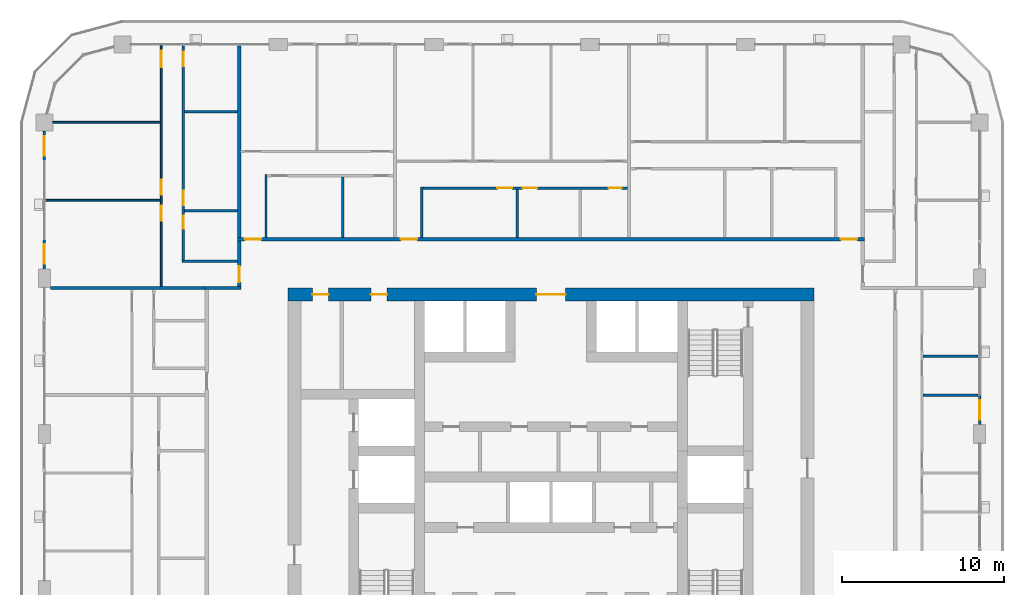
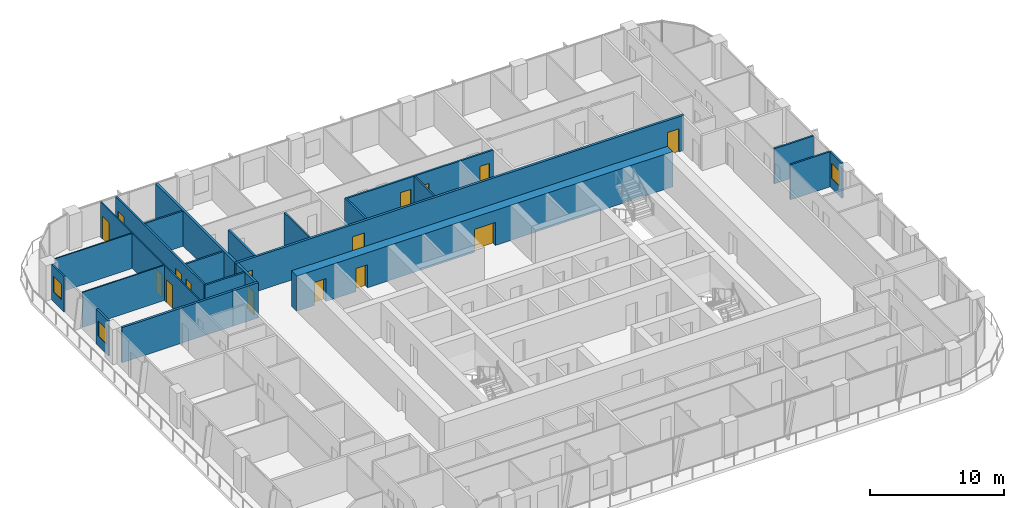
# One storey, part 13 of 22: 23 walls, 16 doors, 3 windows, 19 openings.
"""IFC4 building model written with IfcOpenShell, lengths in metres."""

import ifcopenshell
import ifcopenshell.guid

model = None  # the IFC model being written
_history = None  # IfcOwnerHistory: only IFC2X3 demands one
_inside = {}  # id of a spatial element -> (the spatial element, [elements in it])
_under = {}  # id of a project, library or spatial element -> (it, [spatial elements below it])
_declared = {}  # id of a project -> (the project, [libraries it declares])
_typed = {}  # id of a type object -> (the type object, [elements of that type])
_made_of = {}  # id of a material, layer set ... -> (it, [elements and type objects made of it])


def new_model(schema):
    """Start an empty IFC model of exactly this schema.

    Asked for "IFC4X3", IfcOpenShell would pick the latest addendum, in which some entities
    have other attributes; the version numbers below select the first issue.
    IFC2X3 requires an IfcOwnerHistory on every rooted entity: one is made here for all.
    """
    global model, _history
    if schema == "IFC4X3":
        model = ifcopenshell.file(schema_version=(4, 3, 0, 0))
    else:
        model = ifcopenshell.file(schema=schema)
    _inside.clear()
    _under.clear()
    _declared.clear()
    _typed.clear()
    _made_of.clear()
    _history = None
    if model.schema == "IFC2X3":
        org = make("IfcOrganization", Name="unknown")
        user = make(
            "IfcPersonAndOrganization",
            ThePerson=make("IfcPerson", FamilyName="unknown"),
            TheOrganization=org,
        )
        app = make(
            "IfcApplication",
            ApplicationDeveloper=org,
            Version="unknown",
            ApplicationFullName="unknown",
            ApplicationIdentifier="unknown",
        )
        _history = make(
            "IfcOwnerHistory",
            OwningUser=user,
            OwningApplication=app,
            ChangeAction="ADDED",
            CreationDate=0,
        )
    return model


def make(cls, **values):
    """One entity of the class cls with the attributes given. An attribute that is None is left unset."""
    return model.create_entity(
        cls, **{name: value for name, value in values.items() if value is not None}
    )


def rooted(cls, **values):
    """An entity with a GlobalId (a new one), such as an element, a storey or a relation."""
    return make(cls, GlobalId=ifcopenshell.guid.new(), OwnerHistory=_history, **values)


def si_unit(unit_type, name, prefix=None):
    """IfcSIUnit, for example si_unit("LENGTHUNIT", "METRE", prefix="MILLI")."""
    return make("IfcSIUnit", UnitType=unit_type, Prefix=prefix, Name=name)


def assignment(units):
    """IfcUnitAssignment: the units of a project."""
    return None if units is None else make("IfcUnitAssignment", Units=units)


def point(xyz):
    """IfcCartesianPoint."""
    return None if xyz is None else make("IfcCartesianPoint", Coordinates=xyz)


def direction(xyz):
    """IfcDirection."""
    return None if xyz is None else make("IfcDirection", DirectionRatios=xyz)


def frame(location, z_axis=None, x_axis=None):
    """IfcAxis2Placement3D, a coordinate frame: its origin and axes. An axis left out is left unset."""
    return make(
        "IfcAxis2Placement3D",
        Location=point(location),
        Axis=direction(z_axis),
        RefDirection=direction(x_axis),
    )


def frame_2d(location, x_axis=None):
    """IfcAxis2Placement2D, a coordinate frame in the plane: its origin and x axis."""
    return make(
        "IfcAxis2Placement2D", Location=point(location), RefDirection=direction(x_axis)
    )


def origin():
    """The frame at (0, 0, 0) with its axes left unset."""
    return frame((0.0, 0.0, 0.0))


def place(relative_to, where):
    """IfcLocalPlacement: puts the frame where relative to a parent placement (None: the world)."""
    return make(
        "IfcLocalPlacement", PlacementRelTo=relative_to, RelativePlacement=where
    )


def context(
    kind, dimensions, precision=None, world=None, true_north=None, identifier=None
):
    """IfcGeometricRepresentationContext, for example the 3D "Model" context."""
    return make(
        "IfcGeometricRepresentationContext",
        ContextIdentifier=identifier,
        ContextType=kind,
        CoordinateSpaceDimension=dimensions,
        Precision=precision,
        WorldCoordinateSystem=world,
        TrueNorth=true_north,
    )


def subcontext(parent, identifier, kind, view, scale=None):
    """IfcGeometricRepresentationSubContext, for example "Body" below "Model"."""
    return make(
        "IfcGeometricRepresentationSubContext",
        ContextIdentifier=identifier,
        ContextType=kind,
        ParentContext=parent,
        TargetScale=scale,
        TargetView=view,
    )


def project(units=None, contexts=None):
    """IfcProject with its units and contexts."""
    return rooted(
        "IfcProject",
        Name="project",
        RepresentationContexts=contexts,
        UnitsInContext=assignment(units),
    )


def spatial(cls, under=None, at=None, **own):
    """A site, building, storey or space (cls), placed at a placement, below another one or the project."""
    s = rooted(cls, ObjectPlacement=at, **own)
    if under is not None:
        _under.setdefault(under.id(), (under, []))[1].append(s)
    return s


def profile(cls, at=None, kind="AREA", **sizes):
    """A parametric profile (cls). Its sizes go by their IFC names, for example OverallWidth=200.0."""
    return make(cls, ProfileType=kind, Position=at, **sizes)


def rectangle(**sizes):
    """IfcRectangleProfileDef."""
    return profile("IfcRectangleProfileDef", **sizes)


def extrude(swept, where, along, depth):
    """IfcExtrudedAreaSolid: the profile swept, set in the frame where, extruded along a direction by depth."""
    return make(
        "IfcExtrudedAreaSolid",
        SweptArea=swept,
        Position=where,
        ExtrudedDirection=direction(along),
        Depth=depth,
    )


def shape(context_of_items, identifier, shape_type, items):
    """IfcShapeRepresentation: the items that make up one representation, for example the "Body"."""
    return make(
        "IfcShapeRepresentation",
        ContextOfItems=context_of_items,
        RepresentationIdentifier=identifier,
        RepresentationType=shape_type,
        Items=items,
    )


def material(Name=None, Category=None):
    """IfcMaterial."""
    return make("IfcMaterial", Name=Name, Category=Category)


def layer(
    of_material, thickness, ventilated=None, Name=None, Category=None, Priority=None
):
    """IfcMaterialLayer: one layer of a wall or slab, of a material (None: an air gap)."""
    return make(
        "IfcMaterialLayer",
        Material=of_material,
        LayerThickness=thickness,
        IsVentilated=ventilated,
        Name=Name,
        Category=Category,
        Priority=Priority,
    )


def layer_set(layers, Name=None):
    """IfcMaterialLayerSet."""
    return make("IfcMaterialLayerSet", MaterialLayers=layers, LayerSetName=Name)


def made_of(thing, what):
    """Note that an element or type object is made of a material, layer set ...; save() writes the relation."""
    if what is not None:
        _made_of.setdefault(what.id(), (what, []))[1].append(thing)
    return thing


def type_object(cls, material=None, **own):
    """A type object (cls), such as IfcWallType, which elements share."""
    return made_of(rooted(cls, **own), material)


def element(
    cls,
    number,
    at=None,
    inside=None,
    cuts=None,
    type_object=None,
    material=None,
    context=None,
    identifier="Body",
    shape_type=None,
    held_by="IfcProductDefinitionShape",
    body=None,
    shapes=None,
    **own,
):
    """One element of the class cls, such as IfcWall. Its Tag is "e" and its number.

    at: its placement. inside: the storey or other place that contains it. cuts: it is an
    opening in that element (IfcRelVoidsElement). A single representation is given by context,
    identifier, shape_type and body (its items); several are given by shapes. held_by: the class
    of the entity that holds the representations. save() writes the other relations.
    """
    e = rooted(cls, Tag="e%d" % number, ObjectPlacement=at, **own)
    if body is not None:
        shapes = [shape(context, identifier, shape_type, body)]
    if shapes is not None:
        e.Representation = make(held_by, Representations=shapes)
    if inside is not None:
        _inside.setdefault(inside.id(), (inside, []))[1].append(e)
    if cuts is not None:
        rooted(
            "IfcRelVoidsElement", RelatingBuildingElement=cuts, RelatedOpeningElement=e
        )
    if type_object is not None:
        _typed.setdefault(type_object.id(), (type_object, []))[1].append(e)
    return made_of(e, material)


def fill(opening, filler):
    """IfcRelFillsElement: the door or window that sits in an opening."""
    return rooted(
        "IfcRelFillsElement",
        RelatingOpeningElement=opening,
        RelatedBuildingElement=filler,
    )


def aggregate(whole, parts):
    """IfcRelAggregates: a whole, such as a stair, and the parts it consists of."""
    return rooted("IfcRelAggregates", RelatingObject=whole, RelatedObjects=parts)


def save(model, path):
    """Write the relations noted so far, then the file.

    IfcRelAggregates (storeys below a building ...), IfcRelContainedInSpatialStructure (elements
    in a storey), IfcRelDefinesByType, IfcRelAssociatesMaterial and IfcRelDeclares: one each for
    every whole, place, type object, material and project.
    """
    for whole, parts in _under.values():
        aggregate(whole, parts)
    for where, things in _inside.values():
        rooted(
            "IfcRelContainedInSpatialStructure",
            RelatedElements=things,
            RelatingStructure=where,
        )
    for kind, things in _typed.values():
        rooted("IfcRelDefinesByType", RelatedObjects=things, RelatingType=kind)
    for what, things in _made_of.values():
        rooted("IfcRelAssociatesMaterial", RelatedObjects=things, RelatingMaterial=what)
    for by, libraries in _declared.values():
        rooted("IfcRelDeclares", RelatingContext=by, RelatedDefinitions=libraries)
    model.write(path)


model = new_model("IFC4")

# Units and contexts
model_context = context("Model", 3, precision=1e-05, world=origin(), true_north=direction((0.0, 1.0)))
body_context = subcontext(model_context, "Body", "Model", "MODEL_VIEW")
ifc_project = project(units=[si_unit("LENGTHUNIT", "METRE"), si_unit("AREAUNIT", "SQUARE_METRE"), si_unit("VOLUMEUNIT", "CUBIC_METRE"), si_unit("PLANEANGLEUNIT", "RADIAN"), si_unit("MASSUNIT", "GRAM", prefix="KILO")], contexts=[model_context])

# Site, building, storey
site_placement = place(None, origin())
site = spatial("IfcSite", under=ifc_project, at=site_placement, CompositionType="ELEMENT")
building_placement = place(site_placement, origin())
building = spatial("IfcBuilding", under=site, at=building_placement, Name="Madar Terraces", CompositionType="ELEMENT")
storey_placement = place(building_placement, frame((0.0, 0.0, 136.60009765625)))
storey = spatial("IfcBuildingStorey", under=building, at=storey_placement, Name="L35", CompositionType="ELEMENT", Elevation=136.60009765625)

# Wall, openings, doors
ifc_material_1 = material(Name="Concrete C70/85", Category="concrete")
ifc_layer_1 = layer(ifc_material_1, 0.800048828125)
ifc_layer_set_1 = layer_set([ifc_layer_1], Name="Concrete C70/85 (CRW3 RC wall 800)")
wall_type_1 = type_object("IfcWallType", Name="CRW3 RC wall 800", PredefinedType="SHEAR", material=ifc_layer_set_1)
wall_1_placement = place(storey_placement, frame((15.0, 37.39990234375, 0.0), z_axis=(0.0, 0.0, 1.0), x_axis=(1.0, 0.0, 0.0)))
wall_1 = element("IfcWall", 1, at=wall_1_placement, inside=storey, type_object=wall_type_1, Name="CORE OUTER WALL", PredefinedType="SHEAR", context=body_context, shape_type="SweptSolid", body=[
    extrude(rectangle(XDim=32.39990234375, YDim=0.800048828125, at=frame_2d((16.199951171875, 0.0))), origin(), (0.0, 0.0, 1.0), 3.199951171875),
])
opening_1_placement = place(wall_1_placement, frame((15.300048828125, 0.0, 0.0)))
opening_1 = element("IfcOpeningElement", 2, at=opening_1_placement, cuts=wall_1, Name="Opening KD1", PredefinedType="OPENING", context=body_context, shape_type="SweptSolid", body=[
    extrude(rectangle(XDim=1.800048828125, YDim=2.10009765625, at=frame_2d((0.89990234375, 1.050048828125))), frame((0.0, 0.409912109375, 0.0), z_axis=(0.0, -1.0, 0.0), x_axis=(1.0, 0.0, 0.0)), (0.0, 0.0, 1.0), 0.820068359375),
])
opening_2_placement = place(wall_1_placement, frame((1.510009765625, 0.0, 0.0)))
opening_2 = element("IfcOpeningElement", 3, at=opening_2_placement, cuts=wall_1, Name="Opening KD2", PredefinedType="OPENING", context=body_context, shape_type="SweptSolid", body=[
    extrude(rectangle(XDim=1.0, YDim=2.10009765625, at=frame_2d((0.5, 1.050048828125))), frame((0.0, 0.409912109375, 0.0), z_axis=(0.0, -1.0, 0.0), x_axis=(1.0, 0.0, 0.0)), (0.0, 0.0, 1.0), 0.820068359375),
])
opening_3_placement = place(wall_1_placement, frame((5.110107421875, 0.0, 0.0)))
opening_3 = element("IfcOpeningElement", 4, at=opening_3_placement, cuts=wall_1, Name="Opening KD2", PredefinedType="OPENING", context=body_context, shape_type="SweptSolid", body=[
    extrude(rectangle(XDim=1.0, YDim=2.10009765625, at=frame_2d((0.5, 1.050048828125))), frame((0.0, 0.409912109375, 0.0), z_axis=(0.0, -1.0, 0.0), x_axis=(1.0, 0.0, 0.0)), (0.0, 0.0, 1.0), 0.820068359375),
])
ifc_material_2 = material(Name="Steel door leaf", Category="steel")
door_type_1 = type_object("IfcDoorType", Name="Lobby door pair 1800 x 2100", OperationType="DOUBLE_DOOR_SINGLE_SWING", PredefinedType="DOOR", material=ifc_material_2)
door_1_placement = place(opening_1_placement, origin())
door_1 = element("IfcDoor", 5, at=door_1_placement, inside=storey, type_object=door_type_1, Name="LIFT LOBBY DOOR", OperationType="DOUBLE_DOOR_SINGLE_SWING", OverallHeight=2.10009765625, OverallWidth=1.800048828125, PredefinedType="DOOR", context=body_context, shape_type="SweptSolid", body=[
    extrude(rectangle(XDim=1.800048828125, YDim=2.10009765625, at=frame_2d((0.89990234375, 1.050048828125))), frame((0.0, 0.02490234375, 0.0), z_axis=(0.0, -1.0, 0.0), x_axis=(1.0, 0.0, 0.0)), (0.0, 0.0, 1.0), 0.050048828125),
])
fill(opening_1, door_1)
ifc_material_3 = material(Name="Steel door leaf", Category="steel")
door_type_2 = type_object("IfcDoorType", Name="Service room door 1000 x 2100", OperationType="NOTDEFINED", PredefinedType="DOOR", material=ifc_material_3)
door_2_placement = place(opening_2_placement, origin())
door_2 = element("IfcDoor", 6, at=door_2_placement, inside=storey, type_object=door_type_2, Name="SERVICE ROOM DOOR", OperationType="SINGLE_SWING_RIGHT", OverallHeight=2.10009765625, OverallWidth=1.0, PredefinedType="DOOR", context=body_context, shape_type="SweptSolid", body=[
    extrude(rectangle(XDim=1.0, YDim=2.10009765625, at=frame_2d((0.5, 1.050048828125))), frame((0.0, 0.02490234375, 0.0), z_axis=(0.0, -1.0, 0.0), x_axis=(1.0, 0.0, 0.0)), (0.0, 0.0, 1.0), 0.050048828125),
])
fill(opening_2, door_2)
door_3_placement = place(opening_3_placement, origin())
door_3 = element("IfcDoor", 7, at=door_3_placement, inside=storey, type_object=door_type_2, Name="SERVICE ROOM DOOR", OperationType="SINGLE_SWING_LEFT", OverallHeight=2.10009765625, OverallWidth=1.0, PredefinedType="DOOR", context=body_context, shape_type="SweptSolid", body=[
    extrude(rectangle(XDim=1.0, YDim=2.10009765625, at=frame_2d((0.5, 1.050048828125))), frame((0.0, 0.02490234375, 0.0), z_axis=(0.0, -1.0, 0.0), x_axis=(1.0, 0.0, 0.0)), (0.0, 0.0, 1.0), 0.050048828125),
])
fill(opening_3, door_3)

# Wall, opening, window
ifc_material_4 = material(Name="Aluminium composite panel, black, over insulated backing", Category="aluminium")
ifc_layer_2 = layer(ifc_material_4, 0.14990234375)
ifc_layer_set_2 = layer_set([ifc_layer_2], Name="Facade bay panel 150")
wall_type_2 = type_object("IfcWallType", Name="Facade bay panel 150", PredefinedType="SOLIDWALL", material=ifc_layer_set_2)
wall_2_placement = place(storey_placement, frame((57.60009765625, 29.375, 0.0), z_axis=(0.0, 0.0, 1.0), x_axis=(0.0, 1.0, 0.0)))
wall_2 = element("IfcWall", 8, at=wall_2_placement, inside=storey, type_object=wall_type_2, Name="Facade bay panel", PredefinedType="SOLIDWALL", context=body_context, shape_type="SweptSolid", body=[
    extrude(rectangle(XDim=1.824951171875, YDim=0.14990234375, at=frame_2d((0.91259765625, 0.0))), origin(), (0.0, 0.0, 1.0), 3.199951171875),
])
opening_4_placement = place(wall_2_placement, frame((0.3125, 0.0, 0.89990234375)))
opening_4 = element("IfcOpeningElement", 9, at=opening_4_placement, cuts=wall_2, Name="Opening W1", PredefinedType="OPENING", context=body_context, shape_type="SweptSolid", body=[
    extrude(rectangle(XDim=1.199951171875, YDim=1.39990234375, at=frame_2d((0.60009765625, 0.699951171875))), frame((0.0, 0.0849609375, 0.0), z_axis=(0.0, -1.0, 0.0), x_axis=(1.0, 0.0, 0.0)), (0.0, 0.0, 1.0), 0.169921875),
])
ifc_material_5 = material(Name="Glass, clear, with black aluminium frame", Category="aluminium")
window_type = type_object("IfcWindowType", Name="Vent window 1200 x 1400", PartitioningType="SINGLE_PANEL", PredefinedType="WINDOW", material=ifc_material_5)
window_1_placement = place(opening_4_placement, origin())
window_1 = element("IfcWindow", 10, at=window_1_placement, inside=storey, type_object=window_type, Name="Operable vent window", OverallHeight=1.39990234375, OverallWidth=1.199951171875, PartitioningType="SINGLE_PANEL", PredefinedType="WINDOW", context=body_context, shape_type="SweptSolid", body=[
    extrude(rectangle(XDim=1.199951171875, YDim=1.39990234375, at=frame_2d((0.60009765625, 0.699951171875))), frame((0.0, 0.030029296875, 0.0), z_axis=(0.0, -1.0, 0.0), x_axis=(1.0, 0.0, 0.0)), (0.0, 0.0, 1.0), 0.06005859375),
])
fill(opening_4, window_1)

wall_3_placement = place(storey_placement, frame((0.0, 47.47509765625, 0.0), z_axis=(0.0, 0.0, 1.0), x_axis=(0.0, -1.0, 0.0)))
wall_3 = element("IfcWall", 11, at=wall_3_placement, inside=storey, type_object=wall_type_2, Name="Facade bay panel", PredefinedType="SOLIDWALL", context=body_context, shape_type="SweptSolid", body=[
    extrude(rectangle(XDim=1.875, YDim=0.14990234375, at=frame_2d((0.9375, 0.0))), origin(), (0.0, 0.0, 1.0), 3.199951171875),
])
opening_5_placement = place(wall_3_placement, frame((0.33740234375, 0.0, 0.89990234375)))
opening_5 = element("IfcOpeningElement", 12, at=opening_5_placement, cuts=wall_3, Name="Opening W1", PredefinedType="OPENING", context=body_context, shape_type="SweptSolid", body=[
    extrude(rectangle(XDim=1.199951171875, YDim=1.39990234375, at=frame_2d((0.60009765625, 0.699951171875))), frame((0.0, 0.0849609375, 0.0), z_axis=(0.0, -1.0, 0.0), x_axis=(1.0, 0.0, 0.0)), (0.0, 0.0, 1.0), 0.169921875),
])
window_2_placement = place(opening_5_placement, origin())
window_2 = element("IfcWindow", 13, at=window_2_placement, inside=storey, type_object=window_type, Name="Operable vent window", OverallHeight=1.39990234375, OverallWidth=1.199951171875, PartitioningType="SINGLE_PANEL", PredefinedType="WINDOW", context=body_context, shape_type="SweptSolid", body=[
    extrude(rectangle(XDim=1.199951171875, YDim=1.39990234375, at=frame_2d((0.60009765625, 0.699951171875))), frame((0.0, 0.030029296875, 0.0), z_axis=(0.0, -1.0, 0.0), x_axis=(1.0, 0.0, 0.0)), (0.0, 0.0, 1.0), 0.06005859375),
])
fill(opening_5, window_2)

wall_4_placement = place(storey_placement, frame((0.0, 40.800048828125, 0.0), z_axis=(0.0, 0.0, 1.0), x_axis=(0.0, -1.0, 0.0)))
wall_4 = element("IfcWall", 14, at=wall_4_placement, inside=storey, type_object=wall_type_2, Name="Facade bay panel", PredefinedType="SOLIDWALL", context=body_context, shape_type="SweptSolid", body=[
    extrude(rectangle(XDim=1.824951171875, YDim=0.14990234375, at=frame_2d((0.91259765625, 0.0))), origin(), (0.0, 0.0, 1.0), 3.199951171875),
])
opening_6_placement = place(wall_4_placement, frame((0.3125, 0.0, 0.89990234375)))
opening_6 = element("IfcOpeningElement", 15, at=opening_6_placement, cuts=wall_4, Name="Opening W1", PredefinedType="OPENING", context=body_context, shape_type="SweptSolid", body=[
    extrude(rectangle(XDim=1.199951171875, YDim=1.39990234375, at=frame_2d((0.60009765625, 0.699951171875))), frame((0.0, 0.0849609375, 0.0), z_axis=(0.0, -1.0, 0.0), x_axis=(1.0, 0.0, 0.0)), (0.0, 0.0, 1.0), 0.169921875),
])
window_3_placement = place(opening_6_placement, origin())
window_3 = element("IfcWindow", 16, at=window_3_placement, inside=storey, type_object=window_type, Name="Operable vent window", OverallHeight=1.39990234375, OverallWidth=1.199951171875, PartitioningType="SINGLE_PANEL", PredefinedType="WINDOW", context=body_context, shape_type="SweptSolid", body=[
    extrude(rectangle(XDim=1.199951171875, YDim=1.39990234375, at=frame_2d((0.60009765625, 0.699951171875))), frame((0.0, 0.030029296875, 0.0), z_axis=(0.0, -1.0, 0.0), x_axis=(1.0, 0.0, 0.0)), (0.0, 0.0, 1.0), 0.06005859375),
])
fill(opening_6, window_3)

# Walls
ifc_material_6 = material(Name="Gypsum board on steel studs", Category="steel")
ifc_layer_3 = layer(ifc_material_6, 0.10009765625)
ifc_layer_set_3 = layer_set([ifc_layer_3], Name="Flat partition 100")
wall_type_3 = type_object("IfcWallType", Name="Flat partition 100", PredefinedType="PARTITIONING", material=ifc_layer_set_3)
wall_5_placement = place(storey_placement, frame((7.14990234375, 43.199951171875, 0.0), z_axis=(0.0, 0.0, 1.0), x_axis=(-1.0, 0.0, 0.0)))
element("IfcWall", 17, at=wall_5_placement, inside=storey, type_object=wall_type_3, Name="Flat partition 100", PredefinedType="PARTITIONING", context=body_context, shape_type="SweptSolid", body=[
    extrude(rectangle(XDim=7.0498046875, YDim=0.10009765625, at=frame_2d((3.52490234375, 0.0))), origin(), (0.0, 0.0, 1.0), 3.199951171875),
])
wall_6_placement = place(storey_placement, frame((7.14990234375, 48.0, 0.0), z_axis=(0.0, 0.0, 1.0), x_axis=(-1.0, 0.0, 0.0)))
element("IfcWall", 18, at=wall_6_placement, inside=storey, type_object=wall_type_3, Name="Flat partition 100", PredefinedType="PARTITIONING", context=body_context, shape_type="SweptSolid", body=[
    extrude(rectangle(XDim=6.625, YDim=0.10009765625, at=frame_2d((3.3125, 0.0))), origin(), (0.0, 0.0, 1.0), 3.199951171875),
])

# Wall, openings, doors
wall_7_placement = place(storey_placement, frame((7.199951171875, 37.89990234375, 0.0), z_axis=(0.0, 0.0, 1.0), x_axis=(0.0, 1.0, 0.0)))
wall_7 = element("IfcWall", 19, at=wall_7_placement, inside=storey, type_object=wall_type_3, Name="Flat partition 100", PredefinedType="PARTITIONING", context=body_context, shape_type="SweptSolid", body=[
    extrude(rectangle(XDim=14.800048828125, YDim=0.10009765625, at=frame_2d((7.39990234375, 0.0))), origin(), (0.0, 0.0, 1.0), 3.199951171875),
])
opening_7_placement = place(wall_7_placement, frame((4.050048828125, 0.0, 0.0)))
opening_7 = element("IfcOpeningElement", 20, at=opening_7_placement, cuts=wall_7, Name="Opening D2", PredefinedType="OPENING", context=body_context, shape_type="SweptSolid", body=[
    extrude(rectangle(XDim=0.89990234375, YDim=2.10009765625, at=frame_2d((0.449951171875, 1.050048828125))), frame((0.0, 0.06005859375, 0.0), z_axis=(0.0, -1.0, 0.0), x_axis=(1.0, 0.0, 0.0)), (0.0, 0.0, 1.0), 0.1201171875),
])
opening_8_placement = place(wall_7_placement, frame((5.64990234375, 0.0, 0.0)))
opening_8 = element("IfcOpeningElement", 21, at=opening_8_placement, cuts=wall_7, Name="Opening D2", PredefinedType="OPENING", context=body_context, shape_type="SweptSolid", body=[
    extrude(rectangle(XDim=0.89990234375, YDim=2.10009765625, at=frame_2d((0.449951171875, 1.050048828125))), frame((0.0, 0.06005859375, 0.0), z_axis=(0.0, -1.0, 0.0), x_axis=(1.0, 0.0, 0.0)), (0.0, 0.0, 1.0), 0.1201171875),
])
opening_9_placement = place(wall_7_placement, frame((13.5, 0.0, 0.0)))
opening_9 = element("IfcOpeningElement", 22, at=opening_9_placement, cuts=wall_7, Name="Opening D3", PredefinedType="OPENING", context=body_context, shape_type="SweptSolid", body=[
    extrude(rectangle(XDim=1.0, YDim=2.10009765625, at=frame_2d((0.5, 1.050048828125))), frame((0.0, 0.06005859375, 0.0), z_axis=(0.0, -1.0, 0.0), x_axis=(1.0, 0.0, 0.0)), (0.0, 0.0, 1.0), 0.1201171875),
])
ifc_material_7 = material(Name="Timber door leaf", Category="wood")
door_type_3 = type_object("IfcDoorType", Name="Flat living room door 1000", OperationType="NOTDEFINED", PredefinedType="DOOR", material=ifc_material_7)
door_4_placement = place(opening_9_placement, origin())
door_4 = element("IfcDoor", 23, at=door_4_placement, inside=storey, type_object=door_type_3, Name="Flat living room door 1000", OperationType="SINGLE_SWING_RIGHT", OverallHeight=2.10009765625, OverallWidth=1.0, PredefinedType="DOOR", context=body_context, shape_type="SweptSolid", body=[
    extrude(rectangle(XDim=1.0, YDim=2.10009765625, at=frame_2d((0.5, 1.050048828125))), frame((0.0, 0.02490234375, 0.0), z_axis=(0.0, -1.0, 0.0), x_axis=(1.0, 0.0, 0.0)), (0.0, 0.0, 1.0), 0.050048828125),
])
fill(opening_9, door_4)
ifc_material_8 = material(Name="Timber door leaf", Category="wood")
door_type_4 = type_object("IfcDoorType", Name="Flat room door 900", OperationType="NOTDEFINED", PredefinedType="DOOR", material=ifc_material_8)
door_5_placement = place(opening_7_placement, origin())
door_5 = element("IfcDoor", 24, at=door_5_placement, inside=storey, type_object=door_type_4, Name="Flat room door 900", OperationType="SINGLE_SWING_RIGHT", OverallHeight=2.10009765625, OverallWidth=0.89990234375, PredefinedType="DOOR", context=body_context, shape_type="SweptSolid", body=[
    extrude(rectangle(XDim=0.89990234375, YDim=2.10009765625, at=frame_2d((0.449951171875, 1.050048828125))), frame((0.0, 0.02490234375, 0.0), z_axis=(0.0, -1.0, 0.0), x_axis=(1.0, 0.0, 0.0)), (0.0, 0.0, 1.0), 0.050048828125),
])
fill(opening_7, door_5)
door_6_placement = place(opening_8_placement, origin())
door_6 = element("IfcDoor", 25, at=door_6_placement, inside=storey, type_object=door_type_4, Name="Flat room door 900", OperationType="SINGLE_SWING_LEFT", OverallHeight=2.10009765625, OverallWidth=0.89990234375, PredefinedType="DOOR", context=body_context, shape_type="SweptSolid", body=[
    extrude(rectangle(XDim=0.89990234375, YDim=2.10009765625, at=frame_2d((0.449951171875, 1.050048828125))), frame((0.0, 0.02490234375, 0.0), z_axis=(0.0, -1.0, 0.0), x_axis=(1.0, 0.0, 0.0)), (0.0, 0.0, 1.0), 0.050048828125),
])
fill(opening_8, door_6)

ifc_material_9 = material(Name="Lightweight blockwork", Category="masonry")
ifc_layer_4 = layer(ifc_material_9, 0.199951171875)
ifc_layer_set_4 = layer_set([ifc_layer_4], Name="Flat party and entrance wall 200")
wall_type_4 = type_object("IfcWallType", Name="Flat party and entrance wall 200", PredefinedType="PARTITIONING", material=ifc_layer_set_4)
wall_8_placement = place(storey_placement, frame((11.89990234375, 40.800048828125, 0.0), z_axis=(0.0, 0.0, 1.0), x_axis=(1.0, 0.0, 0.0)))
wall_8 = element("IfcWall", 26, at=wall_8_placement, inside=storey, type_object=wall_type_4, Name="Flat party and entrance wall 200", PredefinedType="PARTITIONING", context=body_context, shape_type="SweptSolid", body=[
    extrude(rectangle(XDim=38.60009765625, YDim=0.199951171875, at=frame_2d((19.300048828125, 0.0))), origin(), (0.0, 0.0, 1.0), 3.199951171875),
])
opening_10_placement = place(wall_8_placement, frame((37.14990234375, 0.0, 0.0)))
opening_10 = element("IfcOpeningElement", 27, at=opening_10_placement, cuts=wall_8, Name="Opening D1", PredefinedType="OPENING", context=body_context, shape_type="SweptSolid", body=[
    extrude(rectangle(XDim=1.0, YDim=2.10009765625, at=frame_2d((0.5, 1.050048828125))), frame((0.0, 0.10986328125, 0.0), z_axis=(0.0, -1.0, 0.0), x_axis=(1.0, 0.0, 0.0)), (0.0, 0.0, 1.0), 0.219970703125),
])
opening_11_placement = place(wall_8_placement, frame((10.050048828125, 0.0, 0.0)))
opening_11 = element("IfcOpeningElement", 28, at=opening_11_placement, cuts=wall_8, Name="Opening D1", PredefinedType="OPENING", context=body_context, shape_type="SweptSolid", body=[
    extrude(rectangle(XDim=1.0, YDim=2.10009765625, at=frame_2d((0.5, 1.050048828125))), frame((0.0, 0.10986328125, 0.0), z_axis=(0.0, -1.0, 0.0), x_axis=(1.0, 0.0, 0.0)), (0.0, 0.0, 1.0), 0.219970703125),
])
opening_12_placement = place(wall_8_placement, frame((0.449951171875, 0.0, 0.0)))
opening_12 = element("IfcOpeningElement", 29, at=opening_12_placement, cuts=wall_8, Name="Opening D1", PredefinedType="OPENING", context=body_context, shape_type="SweptSolid", body=[
    extrude(rectangle(XDim=1.0, YDim=2.10009765625, at=frame_2d((0.5, 1.050048828125))), frame((0.0, 0.10986328125, 0.0), z_axis=(0.0, -1.0, 0.0), x_axis=(1.0, 0.0, 0.0)), (0.0, 0.0, 1.0), 0.219970703125),
])
ifc_material_10 = material(Name="Timber fire door leaf", Category="wood")
door_type_5 = type_object("IfcDoorType", Name="Flat entrance door 1000 FD30S", OperationType="NOTDEFINED", PredefinedType="DOOR", material=ifc_material_10)
door_7_placement = place(opening_10_placement, origin())
door_7 = element("IfcDoor", 30, at=door_7_placement, inside=storey, type_object=door_type_5, Name="Flat entrance door 1000 FD30S", OperationType="SINGLE_SWING_RIGHT", OverallHeight=2.10009765625, OverallWidth=1.0, PredefinedType="DOOR", context=body_context, shape_type="SweptSolid", body=[
    extrude(rectangle(XDim=1.0, YDim=2.10009765625, at=frame_2d((0.5, 1.050048828125))), frame((0.0, 0.02490234375, 0.0), z_axis=(0.0, -1.0, 0.0), x_axis=(1.0, 0.0, 0.0)), (0.0, 0.0, 1.0), 0.050048828125),
])
fill(opening_10, door_7)
door_8_placement = place(opening_11_placement, origin())
door_8 = element("IfcDoor", 31, at=door_8_placement, inside=storey, type_object=door_type_5, Name="Flat entrance door 1000 FD30S", OperationType="SINGLE_SWING_LEFT", OverallHeight=2.10009765625, OverallWidth=1.0, PredefinedType="DOOR", context=body_context, shape_type="SweptSolid", body=[
    extrude(rectangle(XDim=1.0, YDim=2.10009765625, at=frame_2d((0.5, 1.050048828125))), frame((0.0, 0.02490234375, 0.0), z_axis=(0.0, -1.0, 0.0), x_axis=(1.0, 0.0, 0.0)), (0.0, 0.0, 1.0), 0.050048828125),
])
fill(opening_11, door_8)
door_9_placement = place(opening_12_placement, origin())
door_9 = element("IfcDoor", 32, at=door_9_placement, inside=storey, type_object=door_type_5, Name="Flat entrance door 1000 FD30S", OperationType="SINGLE_SWING_LEFT", OverallHeight=2.10009765625, OverallWidth=1.0, PredefinedType="DOOR", context=body_context, shape_type="SweptSolid", body=[
    extrude(rectangle(XDim=1.0, YDim=2.10009765625, at=frame_2d((0.5, 1.050048828125))), frame((0.0, 0.02490234375, 0.0), z_axis=(0.0, -1.0, 0.0), x_axis=(1.0, 0.0, 0.0)), (0.0, 0.0, 1.0), 0.050048828125),
])
fill(opening_12, door_9)

# Wall, opening, door
wall_9_placement = place(storey_placement, frame((12.0, 37.89990234375, 0.0), z_axis=(0.0, 0.0, 1.0), x_axis=(0.0, 1.0, 0.0)))
wall_9 = element("IfcWall", 33, at=wall_9_placement, inside=storey, type_object=wall_type_4, Name="Flat party and entrance wall 200", PredefinedType="PARTITIONING", context=body_context, shape_type="SweptSolid", body=[
    extrude(rectangle(XDim=2.800048828125, YDim=0.199951171875, at=frame_2d((1.39990234375, 0.0))), origin(), (0.0, 0.0, 1.0), 3.199951171875),
])
opening_13_placement = place(wall_9_placement, frame((0.25, 0.0, 0.0)))
opening_13 = element("IfcOpeningElement", 34, at=opening_13_placement, cuts=wall_9, Name="Opening D1", PredefinedType="OPENING", context=body_context, shape_type="SweptSolid", body=[
    extrude(rectangle(XDim=1.0, YDim=2.10009765625, at=frame_2d((0.5, 1.050048828125))), frame((0.0, 0.10986328125, 0.0), z_axis=(0.0, -1.0, 0.0), x_axis=(1.0, 0.0, 0.0)), (0.0, 0.0, 1.0), 0.219970703125),
])
door_10_placement = place(opening_13_placement, origin())
door_10 = element("IfcDoor", 35, at=door_10_placement, inside=storey, type_object=door_type_5, Name="Flat entrance door 1000 FD30S", OperationType="SINGLE_SWING_LEFT", OverallHeight=2.10009765625, OverallWidth=1.0, PredefinedType="DOOR", context=body_context, shape_type="SweptSolid", body=[
    extrude(rectangle(XDim=1.0, YDim=2.10009765625, at=frame_2d((0.5, 1.050048828125))), frame((0.0, 0.02490234375, 0.0), z_axis=(0.0, -1.0, 0.0), x_axis=(1.0, 0.0, 0.0)), (0.0, 0.0, 1.0), 0.050048828125),
])
fill(opening_13, door_10)

# Walls
wall_10_placement = place(storey_placement, frame((12.10009765625, 37.800048828125, 0.0), z_axis=(0.0, 0.0, 1.0), x_axis=(-1.0, 0.0, 0.0)))
element("IfcWall", 36, at=wall_10_placement, inside=storey, type_object=wall_type_4, Name="Flat party and entrance wall 200", PredefinedType="PARTITIONING", context=body_context, shape_type="SweptSolid", body=[
    extrude(rectangle(XDim=2.2001953125, YDim=0.199951171875, at=frame_2d((1.10009765625, 0.0))), origin(), (0.0, 0.0, 1.0), 3.199951171875),
])
wall_11_placement = place(storey_placement, frame((12.0, 52.699951171875, 0.0), z_axis=(0.0, 0.0, 1.0), x_axis=(0.0, -1.0, 0.0)))
element("IfcWall", 37, at=wall_11_placement, inside=storey, type_object=wall_type_4, Name="Flat party and entrance wall 200", PredefinedType="PARTITIONING", context=body_context, shape_type="SweptSolid", body=[
    extrude(rectangle(XDim=11.800048828125, YDim=0.199951171875, at=frame_2d((5.89990234375, 0.0))), origin(), (0.0, 0.0, 1.0), 3.199951171875),
])
wall_12_placement = place(storey_placement, frame((0.375, 37.800048828125, 0.0), z_axis=(0.0, 0.0, 1.0), x_axis=(1.0, 0.0, 0.0)))
element("IfcWall", 38, at=wall_12_placement, inside=storey, type_object=wall_type_4, Name="Flat party and entrance wall 200", PredefinedType="PARTITIONING", context=body_context, shape_type="SweptSolid", body=[
    extrude(rectangle(XDim=9.52490234375, YDim=0.199951171875, at=frame_2d((4.762451171875, 0.0))), origin(), (0.0, 0.0, 1.0), 3.199951171875),
])
ifc_material_11 = material(Name="Lightweight blockwork", Category="masonry")
ifc_layer_5 = layer(ifc_material_11, 0.14990234375)
ifc_layer_set_5 = layer_set([ifc_layer_5], Name="Flat wet-room partition 150")
wall_type_5 = type_object("IfcWallType", Name="Flat wet-room partition 150", PredefinedType="PARTITIONING", material=ifc_layer_set_5)
for number, where, z_axis, x_axis, name in (
    (39, (54.125, 33.60009765625, 0.0), (0.0, 0.0, 1.0), (1.0, 0.0, 0.0), "Flat wet-room partition 150"),
    (40, (54.125, 31.199951171875, 0.0), (0.0, 0.0, 1.0), (1.0, 0.0, 0.0), "Flat wet-room partition 150"),
):
    element("IfcWall", number, at=place(storey_placement, frame(where, z_axis=z_axis, x_axis=x_axis)), inside=storey, type_object=wall_type_5, Name=name, PredefinedType="PARTITIONING", context=body_context, shape_type="SweptSolid", body=[
        extrude(rectangle(XDim=3.375, YDim=0.14990234375, at=frame_2d((1.6875, 0.0))), origin(), (0.0, 0.0, 1.0), 3.199951171875),
    ])
wall_13_placement = place(storey_placement, frame((29.12890625, 40.89990234375, 0.0), z_axis=(0.0, 0.0, 1.0), x_axis=(0.0, 1.0, 0.0)))
element("IfcWall", 41, at=wall_13_placement, inside=storey, type_object=wall_type_5, Name="Flat wet-room partition 150", PredefinedType="PARTITIONING", context=body_context, shape_type="SweptSolid", body=[
    extrude(rectangle(XDim=2.97509765625, YDim=0.14990234375, at=frame_2d((1.487548828125, 0.0))), origin(), (0.0, 0.0, 1.0), 3.199951171875),
])
wall_14_placement = place(storey_placement, frame((23.25, 40.89990234375, 0.0), z_axis=(0.0, 0.0, 1.0), x_axis=(0.0, 1.0, 0.0)))
element("IfcWall", 42, at=wall_14_placement, inside=storey, type_object=wall_type_5, Name="Flat wet-room partition 150", PredefinedType="PARTITIONING", context=body_context, shape_type="SweptSolid", body=[
    extrude(rectangle(XDim=3.125, YDim=0.14990234375, at=frame_2d((1.5625, 0.0))), origin(), (0.0, 0.0, 1.0), 3.199951171875),
])

# Wall, openings, doors
wall_15_placement = place(storey_placement, frame((35.89990234375, 43.949951171875, 0.0), z_axis=(0.0, 0.0, 1.0), x_axis=(-1.0, 0.0, 0.0)))
wall_15 = element("IfcWall", 43, at=wall_15_placement, inside=storey, type_object=wall_type_5, Name="Flat wet-room partition 150", PredefinedType="PARTITIONING", context=body_context, shape_type="SweptSolid", body=[
    extrude(rectangle(XDim=12.574951171875, YDim=0.14990234375, at=frame_2d((6.28759765625, 0.0))), origin(), (0.0, 0.0, 1.0), 3.199951171875),
])
opening_14_placement = place(wall_15_placement, frame((7.09619140625, 0.0, 0.0)))
opening_14 = element("IfcOpeningElement", 44, at=opening_14_placement, cuts=wall_15, Name="Opening D2", PredefinedType="OPENING", context=body_context, shape_type="SweptSolid", body=[
    extrude(rectangle(XDim=0.89990234375, YDim=2.10009765625, at=frame_2d((0.449951171875, 1.050048828125))), frame((0.0, 0.0849609375, 0.0), z_axis=(0.0, -1.0, 0.0), x_axis=(1.0, 0.0, 0.0)), (0.0, 0.0, 1.0), 0.169921875),
])
opening_15_placement = place(wall_15_placement, frame((5.546142578125, 0.0, 0.0)))
opening_15 = element("IfcOpeningElement", 45, at=opening_15_placement, cuts=wall_15, Name="Opening D5", PredefinedType="OPENING", context=body_context, shape_type="SweptSolid", body=[
    extrude(rectangle(XDim=0.89990234375, YDim=2.10009765625, at=frame_2d((0.449951171875, 1.050048828125))), frame((0.0, 0.0849609375, 0.0), z_axis=(0.0, -1.0, 0.0), x_axis=(1.0, 0.0, 0.0)), (0.0, 0.0, 1.0), 0.169921875),
])
opening_16_placement = place(wall_15_placement, frame((0.35009765625, 0.0, 0.0)))
opening_16 = element("IfcOpeningElement", 46, at=opening_16_placement, cuts=wall_15, Name="Opening D4", PredefinedType="OPENING", context=body_context, shape_type="SweptSolid", body=[
    extrude(rectangle(XDim=0.800048828125, YDim=2.10009765625, at=frame_2d((0.39990234375, 1.050048828125))), frame((0.0, 0.0849609375, 0.0), z_axis=(0.0, -1.0, 0.0), x_axis=(1.0, 0.0, 0.0)), (0.0, 0.0, 1.0), 0.169921875),
])
ifc_material_12 = material(Name="Timber door leaf", Category="wood")
door_type_6 = type_object("IfcDoorType", Name="Flat accessible bathroom door 900", OperationType="NOTDEFINED", PredefinedType="DOOR", material=ifc_material_12)
door_11_placement = place(opening_15_placement, origin())
door_11 = element("IfcDoor", 47, at=door_11_placement, inside=storey, type_object=door_type_6, Name="Flat accessible bathroom door 900", OperationType="SINGLE_SWING_RIGHT", OverallHeight=2.10009765625, OverallWidth=0.89990234375, PredefinedType="DOOR", context=body_context, shape_type="SweptSolid", body=[
    extrude(rectangle(XDim=0.89990234375, YDim=2.10009765625, at=frame_2d((0.449951171875, 1.050048828125))), frame((0.0, 0.02490234375, 0.0), z_axis=(0.0, -1.0, 0.0), x_axis=(1.0, 0.0, 0.0)), (0.0, 0.0, 1.0), 0.050048828125),
])
fill(opening_15, door_11)
ifc_material_13 = material(Name="Timber door leaf", Category="wood")
door_type_7 = type_object("IfcDoorType", Name="Flat bathroom door 800", OperationType="NOTDEFINED", PredefinedType="DOOR", material=ifc_material_13)
door_12_placement = place(opening_16_placement, origin())
door_12 = element("IfcDoor", 48, at=door_12_placement, inside=storey, type_object=door_type_7, Name="Flat bathroom door 800", OperationType="SINGLE_SWING_LEFT", OverallHeight=2.10009765625, OverallWidth=0.800048828125, PredefinedType="DOOR", context=body_context, shape_type="SweptSolid", body=[
    extrude(rectangle(XDim=0.800048828125, YDim=2.10009765625, at=frame_2d((0.39990234375, 1.050048828125))), frame((0.0, 0.02490234375, 0.0), z_axis=(0.0, -1.0, 0.0), x_axis=(1.0, 0.0, 0.0)), (0.0, 0.0, 1.0), 0.050048828125),
])
fill(opening_16, door_12)
door_13_placement = place(opening_14_placement, origin())
door_13 = element("IfcDoor", 49, at=door_13_placement, inside=storey, type_object=door_type_4, Name="Flat room door 900", OperationType="SINGLE_SWING_LEFT", OverallHeight=2.10009765625, OverallWidth=0.89990234375, PredefinedType="DOOR", context=body_context, shape_type="SweptSolid", body=[
    extrude(rectangle(XDim=0.89990234375, YDim=2.10009765625, at=frame_2d((0.449951171875, 1.050048828125))), frame((0.0, 0.02490234375, 0.0), z_axis=(0.0, -1.0, 0.0), x_axis=(1.0, 0.0, 0.0)), (0.0, 0.0, 1.0), 0.050048828125),
])
fill(opening_14, door_13)

# Walls
wall_16_placement = place(storey_placement, frame((18.389892578125, 40.89990234375, 0.0), z_axis=(0.0, 0.0, 1.0), x_axis=(0.0, 1.0, 0.0)))
element("IfcWall", 50, at=wall_16_placement, inside=storey, type_object=wall_type_5, Name="Flat wet-room partition 150", PredefinedType="PARTITIONING", context=body_context, shape_type="SweptSolid", body=[
    extrude(rectangle(XDim=3.72509765625, YDim=0.14990234375, at=frame_2d((1.862548828125, 0.0))), origin(), (0.0, 0.0, 1.0), 3.199951171875),
])
wall_17_placement = place(storey_placement, frame((13.64990234375, 40.89990234375, 0.0), z_axis=(0.0, 0.0, 1.0), x_axis=(0.0, 1.0, 0.0)))
element("IfcWall", 51, at=wall_17_placement, inside=storey, type_object=wall_type_5, Name="Flat wet-room partition 150", PredefinedType="PARTITIONING", context=body_context, shape_type="SweptSolid", body=[
    extrude(rectangle(XDim=3.875, YDim=0.14990234375, at=frame_2d((1.9375, 0.0))), origin(), (0.0, 0.0, 1.0), 3.199951171875),
])
for number, where, z_axis, x_axis, name in (
    (52, (11.89990234375, 42.5654296875, 0.0), (0.0, 0.0, 1.0), (-1.0, 0.0, 0.0), "Flat wet-room partition 150"),
    (53, (11.89990234375, 48.646240234375, 0.0), (0.0, 0.0, 1.0), (-1.0, 0.0, 0.0), "Flat wet-room partition 150"),
):
    element("IfcWall", number, at=place(storey_placement, frame(where, z_axis=z_axis, x_axis=x_axis)), inside=storey, type_object=wall_type_5, Name=name, PredefinedType="PARTITIONING", context=body_context, shape_type="SweptSolid", body=[
        extrude(rectangle(XDim=3.27490234375, YDim=0.14990234375, at=frame_2d((1.637451171875, 0.0))), origin(), (0.0, 0.0, 1.0), 3.199951171875),
    ])
wall_18_placement = place(storey_placement, frame((11.89990234375, 39.449951171875, 0.0), z_axis=(0.0, 0.0, 1.0), x_axis=(-1.0, 0.0, 0.0)))
element("IfcWall", 54, at=wall_18_placement, inside=storey, type_object=wall_type_5, Name="Flat wet-room partition 150", PredefinedType="PARTITIONING", context=body_context, shape_type="SweptSolid", body=[
    extrude(rectangle(XDim=3.4248046875, YDim=0.14990234375, at=frame_2d((1.71240234375, 0.0))), origin(), (0.0, 0.0, 1.0), 3.199951171875),
])

# Wall, openings, doors
wall_19_placement = place(storey_placement, frame((8.550048828125, 52.699951171875, 0.0), z_axis=(0.0, 0.0, 1.0), x_axis=(0.0, -1.0, 0.0)))
wall_19 = element("IfcWall", 55, at=wall_19_placement, inside=storey, type_object=wall_type_5, Name="Flat wet-room partition 150", PredefinedType="PARTITIONING", context=body_context, shape_type="SweptSolid", body=[
    extrude(rectangle(XDim=13.175048828125, YDim=0.14990234375, at=frame_2d((6.58740234375, 0.0))), origin(), (0.0, 0.0, 1.0), 3.199951171875),
])
opening_17_placement = place(wall_19_placement, frame((10.459716796875, 0.0, 0.0)))
opening_17 = element("IfcOpeningElement", 56, at=opening_17_placement, cuts=wall_19, Name="Opening D4", PredefinedType="OPENING", context=body_context, shape_type="SweptSolid", body=[
    extrude(rectangle(XDim=0.800048828125, YDim=2.10009765625, at=frame_2d((0.39990234375, 1.050048828125))), frame((0.0, 0.0849609375, 0.0), z_axis=(0.0, -1.0, 0.0), x_axis=(1.0, 0.0, 0.0)), (0.0, 0.0, 1.0), 0.169921875),
])
opening_18_placement = place(wall_19_placement, frame((8.90966796875, 0.0, 0.0)))
opening_18 = element("IfcOpeningElement", 57, at=opening_18_placement, cuts=wall_19, Name="Opening D2", PredefinedType="OPENING", context=body_context, shape_type="SweptSolid", body=[
    extrude(rectangle(XDim=0.89990234375, YDim=2.10009765625, at=frame_2d((0.449951171875, 1.050048828125))), frame((0.0, 0.0849609375, 0.0), z_axis=(0.0, -1.0, 0.0), x_axis=(1.0, 0.0, 0.0)), (0.0, 0.0, 1.0), 0.169921875),
])
opening_19_placement = place(wall_19_placement, frame((0.35009765625, 0.0, 0.0)))
opening_19 = element("IfcOpeningElement", 58, at=opening_19_placement, cuts=wall_19, Name="Opening D5", PredefinedType="OPENING", context=body_context, shape_type="SweptSolid", body=[
    extrude(rectangle(XDim=0.89990234375, YDim=2.10009765625, at=frame_2d((0.449951171875, 1.050048828125))), frame((0.0, 0.0849609375, 0.0), z_axis=(0.0, -1.0, 0.0), x_axis=(1.0, 0.0, 0.0)), (0.0, 0.0, 1.0), 0.169921875),
])
door_14_placement = place(opening_19_placement, origin())
door_14 = element("IfcDoor", 59, at=door_14_placement, inside=storey, type_object=door_type_6, Name="Flat accessible bathroom door 900", OperationType="SINGLE_SWING_LEFT", OverallHeight=2.10009765625, OverallWidth=0.89990234375, PredefinedType="DOOR", context=body_context, shape_type="SweptSolid", body=[
    extrude(rectangle(XDim=0.89990234375, YDim=2.10009765625, at=frame_2d((0.449951171875, 1.050048828125))), frame((0.0, 0.02490234375, 0.0), z_axis=(0.0, -1.0, 0.0), x_axis=(1.0, 0.0, 0.0)), (0.0, 0.0, 1.0), 0.050048828125),
])
fill(opening_19, door_14)
door_15_placement = place(opening_17_placement, origin())
door_15 = element("IfcDoor", 60, at=door_15_placement, inside=storey, type_object=door_type_7, Name="Flat bathroom door 800", OperationType="SINGLE_SWING_LEFT", OverallHeight=2.10009765625, OverallWidth=0.800048828125, PredefinedType="DOOR", context=body_context, shape_type="SweptSolid", body=[
    extrude(rectangle(XDim=0.800048828125, YDim=2.10009765625, at=frame_2d((0.39990234375, 1.050048828125))), frame((0.0, 0.02490234375, 0.0), z_axis=(0.0, -1.0, 0.0), x_axis=(1.0, 0.0, 0.0)), (0.0, 0.0, 1.0), 0.050048828125),
])
fill(opening_17, door_15)
door_16_placement = place(opening_18_placement, origin())
door_16 = element("IfcDoor", 61, at=door_16_placement, inside=storey, type_object=door_type_4, Name="Flat room door 900", OperationType="SINGLE_SWING_RIGHT", OverallHeight=2.10009765625, OverallWidth=0.89990234375, PredefinedType="DOOR", context=body_context, shape_type="SweptSolid", body=[
    extrude(rectangle(XDim=0.89990234375, YDim=2.10009765625, at=frame_2d((0.449951171875, 1.050048828125))), frame((0.0, 0.02490234375, 0.0), z_axis=(0.0, -1.0, 0.0), x_axis=(1.0, 0.0, 0.0)), (0.0, 0.0, 1.0), 0.050048828125),
])
fill(opening_18, door_16)

save(model, "model.ifc")
